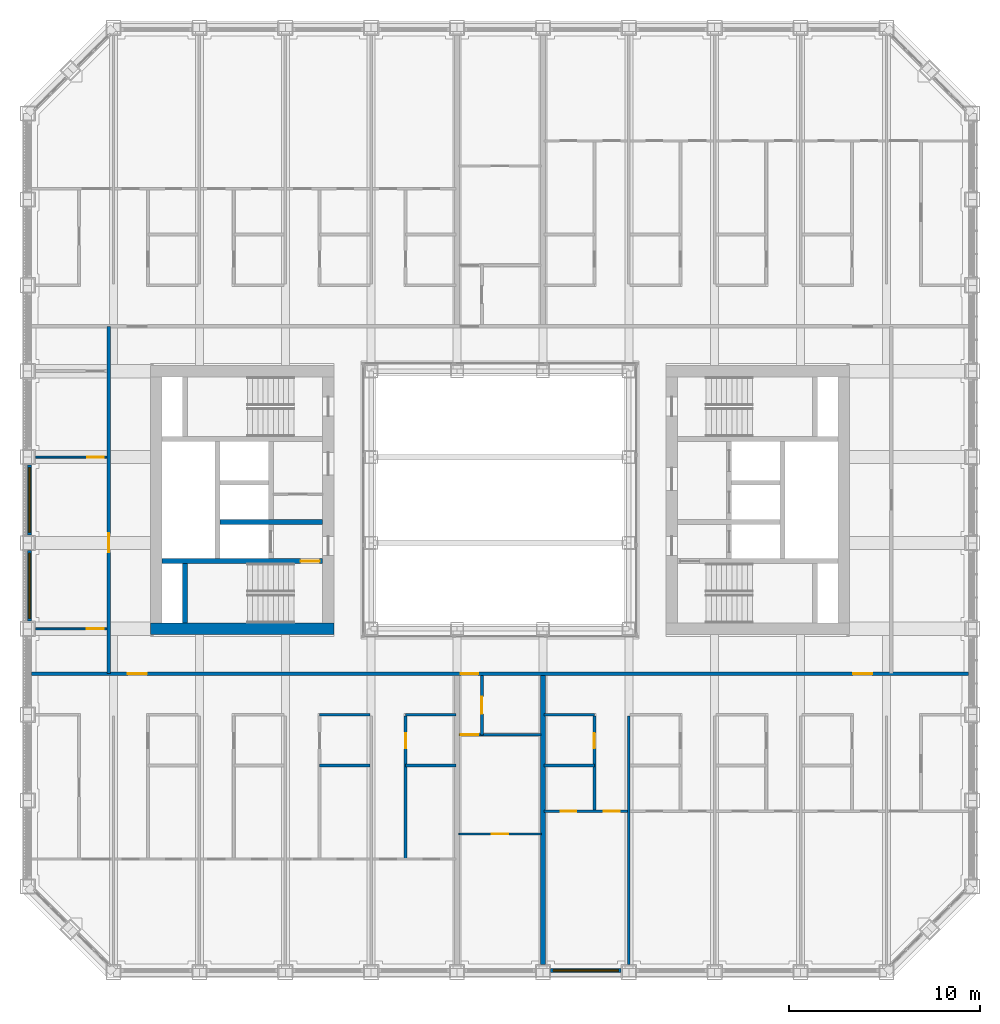
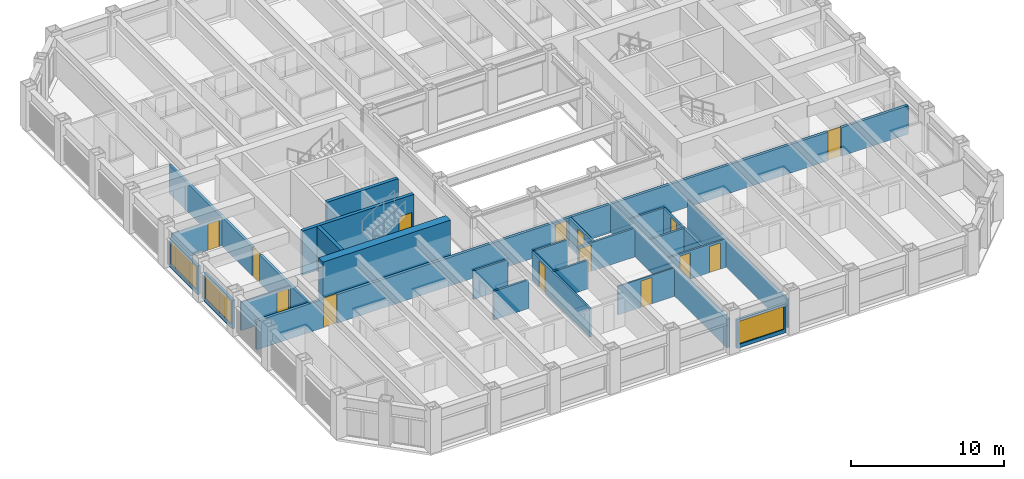
# One storey, part 10 of 21: 25 walls, 14 doors, 3 windows, 17 openings.
"""IFC4 building model written with IfcOpenShell, lengths in metres."""

from ifc_helpers import new_model, si_unit, direction, frame, frame_2d, origin, place, context, subcontext, project, spatial, rectangle, extrude, material, layer, layer_set, type_object, element, fill, save


model = new_model("IFC4")

# Units and contexts
model_context = context("Model", 3, precision=1e-05, world=origin(), true_north=direction((0.0, 1.0)))
body_context = subcontext(model_context, "Body", "Model", "MODEL_VIEW")
ifc_project = project(units=[si_unit("LENGTHUNIT", "METRE"), si_unit("AREAUNIT", "SQUARE_METRE"), si_unit("VOLUMEUNIT", "CUBIC_METRE"), si_unit("PLANEANGLEUNIT", "RADIAN"), si_unit("MASSUNIT", "GRAM", prefix="KILO")], contexts=[model_context])

# Site, building, storey
site_placement = place(None, origin())
site = spatial("IfcSite", under=ifc_project, at=site_placement, CompositionType="ELEMENT")
building_placement = place(site_placement, origin())
building = spatial("IfcBuilding", under=site, at=building_placement, Name="Msasa Ring Tower", CompositionType="ELEMENT")
storey_placement = place(building_placement, frame((0.0, 0.0, 103.5)))
storey = spatial("IfcBuildingStorey", under=building, at=storey_placement, Name="L27", CompositionType="ELEMENT", Elevation=103.5)

# Wall
ifc_material_1 = material(Name="Concrete C60/75", Category="concrete")
ifc_layer_1 = layer(ifc_material_1, 0.60009765625)
ifc_layer_set_1 = layer_set([ifc_layer_1], Name="CW1 CORE WALL 600")
wall_type_1 = type_object("IfcWallType", Name="CW1 CORE WALL 600", PredefinedType="SHEAR", material=ifc_layer_set_1)
wall_1_placement = place(storey_placement, frame((-8.699951171875, -6.75, 0.0), z_axis=(0.0, 0.0, 1.0), x_axis=(-1.0, 0.0, 0.0)))
element("IfcWall", 1, at=wall_1_placement, inside=storey, type_object=wall_type_1, Name="W core wall S L27", PredefinedType="SHEAR", context=body_context, shape_type="SweptSolid", body=[
    extrude(rectangle(XDim=9.60009765625, YDim=0.60009765625, at=frame_2d((4.800048828125, 0.0))), origin(), (0.0, 0.0, 1.0), 3.5),
])

# Wall, opening, door
ifc_material_2 = material(Name="Concrete C60/75", Category="concrete")
ifc_layer_2 = layer(ifc_material_2, 0.25)
ifc_layer_set_2 = layer_set([ifc_layer_2], Name="CW4 CORE INNER WALL 250")
wall_type_2 = type_object("IfcWallType", Name="CW4 CORE INNER WALL 250", PredefinedType="SHEAR", material=ifc_layer_set_2)
wall_2_placement = place(storey_placement, frame((-9.300048828125, -3.199951171875, 0.0), z_axis=(0.0, 0.0, 1.0), x_axis=(-1.0, 0.0, 0.0)))
wall_2 = element("IfcWall", 2, at=wall_2_placement, inside=storey, type_object=wall_type_2, Name="W core wall STAIRA L27", PredefinedType="SHEAR", context=body_context, shape_type="SweptSolid", body=[
    extrude(rectangle(XDim=8.39990234375, YDim=0.25, at=frame_2d((4.199951171875, 0.0))), origin(), (0.0, 0.0, 1.0), 3.5),
])
opening_1_placement = place(wall_2_placement, frame((0.14990234375, 0.0, 0.0)))
opening_1 = element("IfcOpeningElement", 3, at=opening_1_placement, cuts=wall_2, Name="Opening RH-046", PredefinedType="OPENING", context=body_context, shape_type="SweptSolid", body=[
    extrude(rectangle(XDim=1.0, YDim=2.10009765625, at=frame_2d((0.5, 1.050048828125))), frame((0.0, 0.135009765625, 0.0), z_axis=(0.0, -1.0, 0.0), x_axis=(1.0, 0.0, 0.0)), (0.0, 0.0, 1.0), 0.27001953125),
])
ifc_material_3 = material(Name="Timber door leaf in a steel frame", Category="steel")
door_type_1 = type_object("IfcDoorType", Name="D6 STAIR DOOR 1000x2100", OperationType="SINGLE_SWING_LEFT", PredefinedType="DOOR", material=ifc_material_3)
door_1_placement = place(opening_1_placement, origin())
door_1 = element("IfcDoor", 4, at=door_1_placement, inside=storey, type_object=door_type_1, Name="Door L27-WSTA", OperationType="SINGLE_SWING_LEFT", OverallHeight=2.10009765625, OverallWidth=1.0, PredefinedType="DOOR", context=body_context, shape_type="SweptSolid", body=[
    extrude(rectangle(XDim=1.0, YDim=2.10009765625, at=frame_2d((0.5, 1.050048828125))), frame((0.0, 0.02490234375, 0.0), z_axis=(0.0, -1.0, 0.0), x_axis=(1.0, 0.0, 0.0)), (0.0, 0.0, 1.0), 0.050048828125),
])
fill(opening_1, door_1)

# Walls
wall_3_placement = place(storey_placement, frame((-16.5, -6.449951171875, 0.0), z_axis=(0.0, 0.0, 1.0), x_axis=(0.0, 1.0, 0.0)))
element("IfcWall", 5, at=wall_3_placement, inside=storey, type_object=wall_type_2, Name="W core wall RISERA L27", PredefinedType="SHEAR", context=body_context, shape_type="SweptSolid", body=[
    extrude(rectangle(XDim=3.125, YDim=0.25, at=frame_2d((1.5625, 0.0))), origin(), (0.0, 0.0, 1.0), 3.5),
])
wall_4_placement = place(storey_placement, frame((-9.300048828125, -1.14990234375, 0.0), z_axis=(0.0, 0.0, 1.0), x_axis=(-1.0, 0.0, 0.0)))
element("IfcWall", 6, at=wall_4_placement, inside=storey, type_object=wall_type_2, Name="W core wall FFL L27", PredefinedType="SHEAR", context=body_context, shape_type="SweptSolid", body=[
    extrude(rectangle(XDim=5.375, YDim=0.25, at=frame_2d((2.6875, 0.0))), origin(), (0.0, 0.0, 1.0), 3.5),
])

# Wall, opening, window
ifc_material_4 = material(Name="Terracotta rainscreen on blockwork", Category="masonry")
ifc_layer_3 = layer(ifc_material_4, 0.199951171875)
ifc_layer_set_3 = layer_set([ifc_layer_3], Name="FW1 TERRACOTTA-LINED INFILL BAY WALL 200")
wall_type_3 = type_object("IfcWallType", Name="FW1 TERRACOTTA-LINED INFILL BAY WALL 200", PredefinedType="SOLIDWALL", material=ifc_layer_set_3)
wall_5_placement = place(storey_placement, frame((2.655029296875, -24.64990234375, 0.0), z_axis=(0.0, 0.0, 1.0), x_axis=(1.0, 0.0, 0.0)))
wall_5 = element("IfcWall", 7, at=wall_5_placement, inside=storey, type_object=wall_type_3, Name="Infill bay wall S L27 05", PredefinedType="SOLIDWALL", context=body_context, shape_type="SweptSolid", body=[
    extrude(rectangle(XDim=3.68994140625, YDim=0.199951171875, at=frame_2d((1.844970703125, 0.0))), origin(), (0.0, 0.0, 1.0), 2.279052734375),
])
opening_2_placement = place(wall_5_placement, frame((0.14501953125, 0.0, 0.300048828125)))
opening_2 = element("IfcOpeningElement", 8, at=opening_2_placement, cuts=wall_5, Name="Opening WN6", PredefinedType="OPENING", context=body_context, shape_type="SweptSolid", body=[
    extrude(rectangle(XDim=3.39990234375, YDim=1.8291015625, at=frame_2d((1.699951171875, 0.91455078125))), frame((0.0, 0.10986328125, 0.0), z_axis=(0.0, -1.0, 0.0), x_axis=(1.0, 0.0, 0.0)), (0.0, 0.0, 1.0), 0.219970703125),
])
ifc_material_5 = material(Name="Aluminium frame with clear glass", Category="aluminium")
window_type = type_object("IfcWindowType", Name="WN6 RESIDENCE WINDOW 3400x1829", PartitioningType="SINGLE_PANEL", PredefinedType="WINDOW", material=ifc_material_5)
window_1_placement = place(opening_2_placement, origin())
window_1 = element("IfcWindow", 9, at=window_1_placement, inside=storey, type_object=window_type, Name="Window S L27 05", OverallHeight=1.8291015625, OverallWidth=3.39990234375, PartitioningType="SINGLE_PANEL", PredefinedType="WINDOW", context=body_context, shape_type="SweptSolid", body=[
    extrude(rectangle(XDim=3.39990234375, YDim=1.8291015625, at=frame_2d((1.699951171875, 0.91455078125))), frame((0.0, 0.030029296875, 0.0), z_axis=(0.0, -1.0, 0.0), x_axis=(1.0, 0.0, 0.0)), (0.0, 0.0, 1.0), 0.06005859375),
])
fill(opening_2, window_1)

wall_6_placement = place(storey_placement, frame((-24.64990234375, -6.344970703125, 0.0), z_axis=(0.0, 0.0, 1.0), x_axis=(0.0, 1.0, 0.0)))
wall_6 = element("IfcWall", 10, at=wall_6_placement, inside=storey, type_object=wall_type_3, Name="Infill bay wall W L27 36", PredefinedType="SOLIDWALL", context=body_context, shape_type="SweptSolid", body=[
    extrude(rectangle(XDim=3.68994140625, YDim=0.199951171875, at=frame_2d((1.844970703125, 0.0))), origin(), (0.0, 0.0, 1.0), 2.279052734375),
])
opening_3_placement = place(wall_6_placement, frame((0.14501953125, 0.0, 0.300048828125)))
opening_3 = element("IfcOpeningElement", 11, at=opening_3_placement, cuts=wall_6, Name="Opening WN6", PredefinedType="OPENING", context=body_context, shape_type="SweptSolid", body=[
    extrude(rectangle(XDim=3.39990234375, YDim=1.8291015625, at=frame_2d((1.699951171875, 0.91455078125))), frame((0.0, 0.10986328125, 0.0), z_axis=(0.0, -1.0, 0.0), x_axis=(1.0, 0.0, 0.0)), (0.0, 0.0, 1.0), 0.219970703125),
])
window_2_placement = place(opening_3_placement, origin())
window_2 = element("IfcWindow", 12, at=window_2_placement, inside=storey, type_object=window_type, Name="Window W L27 36", OverallHeight=1.8291015625, OverallWidth=3.39990234375, PartitioningType="SINGLE_PANEL", PredefinedType="WINDOW", context=body_context, shape_type="SweptSolid", body=[
    extrude(rectangle(XDim=3.39990234375, YDim=1.8291015625, at=frame_2d((1.699951171875, 0.91455078125))), frame((0.0, 0.030029296875, 0.0), z_axis=(0.0, -1.0, 0.0), x_axis=(1.0, 0.0, 0.0)), (0.0, 0.0, 1.0), 0.06005859375),
])
fill(opening_3, window_2)

wall_7_placement = place(storey_placement, frame((-24.64990234375, -1.844970703125, 0.0), z_axis=(0.0, 0.0, 1.0), x_axis=(0.0, 1.0, 0.0)))
wall_7 = element("IfcWall", 13, at=wall_7_placement, inside=storey, type_object=wall_type_3, Name="Infill bay wall W L27 37", PredefinedType="SOLIDWALL", context=body_context, shape_type="SweptSolid", body=[
    extrude(rectangle(XDim=3.68994140625, YDim=0.199951171875, at=frame_2d((1.844970703125, 0.0))), origin(), (0.0, 0.0, 1.0), 2.279052734375),
])
opening_4_placement = place(wall_7_placement, frame((0.14501953125, 0.0, 0.300048828125)))
opening_4 = element("IfcOpeningElement", 14, at=opening_4_placement, cuts=wall_7, Name="Opening WN6", PredefinedType="OPENING", context=body_context, shape_type="SweptSolid", body=[
    extrude(rectangle(XDim=3.39990234375, YDim=1.8291015625, at=frame_2d((1.699951171875, 0.91455078125))), frame((0.0, 0.10986328125, 0.0), z_axis=(0.0, -1.0, 0.0), x_axis=(1.0, 0.0, 0.0)), (0.0, 0.0, 1.0), 0.219970703125),
])
window_3_placement = place(opening_4_placement, origin())
window_3 = element("IfcWindow", 15, at=window_3_placement, inside=storey, type_object=window_type, Name="Window W L27 37", OverallHeight=1.8291015625, OverallWidth=3.39990234375, PartitioningType="SINGLE_PANEL", PredefinedType="WINDOW", context=body_context, shape_type="SweptSolid", body=[
    extrude(rectangle(XDim=3.39990234375, YDim=1.8291015625, at=frame_2d((1.699951171875, 0.91455078125))), frame((0.0, 0.030029296875, 0.0), z_axis=(0.0, -1.0, 0.0), x_axis=(1.0, 0.0, 0.0)), (0.0, 0.0, 1.0), 0.06005859375),
])
fill(opening_4, window_3)

# Wall, openings, doors
ifc_material_6 = material(Name="Concrete blockwork", Category="masonry")
ifc_layer_4 = layer(ifc_material_6, 0.199951171875)
ifc_layer_set_4 = layer_set([ifc_layer_4], Name="PT1 CORRIDOR WALL 200")
wall_type_4 = type_object("IfcWallType", Name="PT1 CORRIDOR WALL 200", PredefinedType="PARTITIONING", material=ifc_layer_set_4)
wall_8_placement = place(storey_placement, frame((-24.550048828125, -9.10009765625, 0.0), z_axis=(0.0, 0.0, 1.0), x_axis=(1.0, 0.0, 0.0)))
wall_8 = element("IfcWall", 16, at=wall_8_placement, inside=storey, type_object=wall_type_4, Name="Corridor wall L27-CORRS0", PredefinedType="PARTITIONING", context=body_context, shape_type="SweptSolid", body=[
    extrude(rectangle(XDim=49.10009765625, YDim=0.199951171875, at=frame_2d((24.550048828125, 0.0))), origin(), (0.0, 0.0, 1.0), 2.279052734375),
])
opening_5_placement = place(wall_8_placement, frame((5.050048828125, 0.0, 0.0)))
opening_5 = element("IfcOpeningElement", 17, at=opening_5_placement, cuts=wall_8, Name="Opening RH-049", PredefinedType="OPENING", context=body_context, shape_type="SweptSolid", body=[
    extrude(rectangle(XDim=1.0, YDim=2.300048828125, at=frame_2d((0.5, 1.14990234375))), frame((0.0, 0.10986328125, 0.0), z_axis=(0.0, -1.0, 0.0), x_axis=(1.0, 0.0, 0.0)), (0.0, 0.0, 1.0), 0.219970703125),
])
opening_6_placement = place(wall_8_placement, frame((22.5, 0.0, 0.0)))
opening_6 = element("IfcOpeningElement", 18, at=opening_6_placement, cuts=wall_8, Name="Opening RH-050", PredefinedType="OPENING", context=body_context, shape_type="SweptSolid", body=[
    extrude(rectangle(XDim=0.89990234375, YDim=2.10009765625, at=frame_2d((0.449951171875, 1.050048828125))), frame((0.0, 0.10986328125, 0.0), z_axis=(0.0, -1.0, 0.0), x_axis=(1.0, 0.0, 0.0)), (0.0, 0.0, 1.0), 0.219970703125),
])
opening_7_placement = place(wall_8_placement, frame((43.050048828125, 0.0, 0.0)))
opening_7 = element("IfcOpeningElement", 19, at=opening_7_placement, cuts=wall_8, Name="Opening RH-051", PredefinedType="OPENING", context=body_context, shape_type="SweptSolid", body=[
    extrude(rectangle(XDim=1.0, YDim=2.300048828125, at=frame_2d((0.5, 1.14990234375))), frame((0.0, 0.10986328125, 0.0), z_axis=(0.0, -1.0, 0.0), x_axis=(1.0, 0.0, 0.0)), (0.0, 0.0, 1.0), 0.219970703125),
])
ifc_material_7 = material(Name="Timber door leaf in a steel frame", Category="steel")
door_type_2 = type_object("IfcDoorType", Name="D16 UPPER RESIDENCE ENTRANCE DOOR 1000x2300", OperationType="SINGLE_SWING_LEFT", PredefinedType="DOOR", material=ifc_material_7)
door_2_placement = place(opening_5_placement, origin())
door_2 = element("IfcDoor", 20, at=door_2_placement, inside=storey, type_object=door_type_2, Name="Door L27-US00", OperationType="SINGLE_SWING_LEFT", OverallHeight=2.300048828125, OverallWidth=1.0, PredefinedType="DOOR", context=body_context, shape_type="SweptSolid", body=[
    extrude(rectangle(XDim=1.0, YDim=2.300048828125, at=frame_2d((0.5, 1.14990234375))), frame((0.0, 0.02490234375, 0.0), z_axis=(0.0, -1.0, 0.0), x_axis=(1.0, 0.0, 0.0)), (0.0, 0.0, 1.0), 0.050048828125),
])
fill(opening_5, door_2)
door_3_placement = place(opening_7_placement, origin())
door_3 = element("IfcDoor", 21, at=door_3_placement, inside=storey, type_object=door_type_2, Name="Door L27-US02", OperationType="SINGLE_SWING_RIGHT", OverallHeight=2.300048828125, OverallWidth=1.0, PredefinedType="DOOR", context=body_context, shape_type="SweptSolid", body=[
    extrude(rectangle(XDim=1.0, YDim=2.300048828125, at=frame_2d((0.5, 1.14990234375))), frame((0.0, 0.02490234375, 0.0), z_axis=(0.0, -1.0, 0.0), x_axis=(1.0, 0.0, 0.0)), (0.0, 0.0, 1.0), 0.050048828125),
])
fill(opening_7, door_3)
ifc_material_8 = material(Name="Timber door leaf in a steel frame", Category="steel")
door_type_3 = type_object("IfcDoorType", Name="D2 ENTRANCE DOOR 900x2100", OperationType="SINGLE_SWING_LEFT", PredefinedType="DOOR", material=ifc_material_8)
door_4_placement = place(opening_6_placement, origin())
door_4 = element("IfcDoor", 22, at=door_4_placement, inside=storey, type_object=door_type_3, Name="Door L27-US01", OperationType="SINGLE_SWING_LEFT", OverallHeight=2.10009765625, OverallWidth=0.89990234375, PredefinedType="DOOR", context=body_context, shape_type="SweptSolid", body=[
    extrude(rectangle(XDim=0.89990234375, YDim=2.10009765625, at=frame_2d((0.449951171875, 1.050048828125))), frame((0.0, 0.02490234375, 0.0), z_axis=(0.0, -1.0, 0.0), x_axis=(1.0, 0.0, 0.0)), (0.0, 0.0, 1.0), 0.050048828125),
])
fill(opening_6, door_4)

# Wall, opening, door
wall_9_placement = place(storey_placement, frame((-20.5, -9.10009765625, 0.0), z_axis=(0.0, 0.0, 1.0), x_axis=(0.0, 1.0, 0.0)))
wall_9 = element("IfcWall", 23, at=wall_9_placement, inside=storey, type_object=wall_type_4, Name="Corridor wall L27-STRW", PredefinedType="PARTITIONING", context=body_context, shape_type="SweptSolid", body=[
    extrude(rectangle(XDim=18.2001953125, YDim=0.199951171875, at=frame_2d((9.10009765625, 0.0))), origin(), (0.0, 0.0, 1.0), 2.279052734375),
])
opening_8_placement = place(wall_9_placement, frame((6.35009765625, 0.0, 0.0)))
opening_8 = element("IfcOpeningElement", 24, at=opening_8_placement, cuts=wall_9, Name="Opening RH-043", PredefinedType="OPENING", context=body_context, shape_type="SweptSolid", body=[
    extrude(rectangle(XDim=1.0, YDim=2.300048828125, at=frame_2d((0.5, 1.14990234375))), frame((0.0, 0.10986328125, 0.0), z_axis=(0.0, -1.0, 0.0), x_axis=(1.0, 0.0, 0.0)), (0.0, 0.0, 1.0), 0.219970703125),
])
door_5_placement = place(opening_8_placement, origin())
door_5 = element("IfcDoor", 25, at=door_5_placement, inside=storey, type_object=door_type_2, Name="Door L27-STW", OperationType="SINGLE_SWING_LEFT", OverallHeight=2.300048828125, OverallWidth=1.0, PredefinedType="DOOR", context=body_context, shape_type="SweptSolid", body=[
    extrude(rectangle(XDim=1.0, YDim=2.300048828125, at=frame_2d((0.5, 1.14990234375))), frame((0.0, 0.02490234375, 0.0), z_axis=(0.0, -1.0, 0.0), x_axis=(1.0, 0.0, 0.0)), (0.0, 0.0, 1.0), 0.050048828125),
])
fill(opening_8, door_5)

ifc_material_9 = material(Name="Gypsum board on steel studs", Category="steel")
ifc_layer_5 = layer(ifc_material_9, 0.10009765625)
ifc_layer_set_5 = layer_set([ifc_layer_5], Name="PT2 STUD PARTITION 100")
wall_type_5 = type_object("IfcWallType", Name="PT2 STUD PARTITION 100", PredefinedType="PARTITIONING", material=ifc_layer_set_5)
wall_10_placement = place(storey_placement, frame((-2.14990234375, -17.5, 0.0), z_axis=(0.0, 0.0, 1.0), x_axis=(1.0, 0.0, 0.0)))
wall_10 = element("IfcWall", 26, at=wall_10_placement, inside=storey, type_object=wall_type_5, Name="Partition L27-US01SY", PredefinedType="PARTITIONING", context=body_context, shape_type="SweptSolid", body=[
    extrude(rectangle(XDim=4.2998046875, YDim=0.10009765625, at=frame_2d((2.14990234375, 0.0))), origin(), (0.0, 0.0, 1.0), 2.279052734375),
])
opening_9_placement = place(wall_10_placement, frame((1.72509765625, 0.0, 0.0)))
opening_9 = element("IfcOpeningElement", 27, at=opening_9_placement, cuts=wall_10, Name="Opening RH-073", PredefinedType="OPENING", context=body_context, shape_type="SweptSolid", body=[
    extrude(rectangle(XDim=0.85009765625, YDim=2.10009765625, at=frame_2d((0.425048828125, 1.050048828125))), frame((0.0, 0.06005859375, 0.0), z_axis=(0.0, -1.0, 0.0), x_axis=(1.0, 0.0, 0.0)), (0.0, 0.0, 1.0), 0.1201171875),
])
ifc_material_10 = material(Name="Timber door leaf in a steel frame", Category="steel")
door_type_4 = type_object("IfcDoorType", Name="D14 BEDROOM DOOR 850x2100", OperationType="SINGLE_SWING_LEFT", PredefinedType="DOOR", material=ifc_material_10)
door_6_placement = place(opening_9_placement, origin())
door_6 = element("IfcDoor", 28, at=door_6_placement, inside=storey, type_object=door_type_4, Name="Door L27-US01R", OperationType="SINGLE_SWING_LEFT", OverallHeight=2.10009765625, OverallWidth=0.85009765625, PredefinedType="DOOR", context=body_context, shape_type="SweptSolid", body=[
    extrude(rectangle(XDim=0.85009765625, YDim=2.10009765625, at=frame_2d((0.425048828125, 1.050048828125))), frame((0.0, 0.02490234375, 0.0), z_axis=(0.0, -1.0, 0.0), x_axis=(1.0, 0.0, 0.0)), (0.0, 0.0, 1.0), 0.050048828125),
])
fill(opening_9, door_6)

wall_11_placement = place(storey_placement, frame((-24.35009765625, -6.75, 0.0), z_axis=(0.0, 0.0, 1.0), x_axis=(1.0, 0.0, 0.0)))
wall_11 = element("IfcWall", 29, at=wall_11_placement, inside=storey, type_object=wall_type_5, Name="Partition L27-STWKY", PredefinedType="PARTITIONING", context=body_context, shape_type="SweptSolid", body=[
    extrude(rectangle(XDim=3.75, YDim=0.10009765625, at=frame_2d((1.875, 0.0))), origin(), (0.0, 0.0, 1.0), 2.279052734375),
])
opening_10_placement = place(wall_11_placement, frame((2.699951171875, 0.0, 0.0)))
opening_10 = element("IfcOpeningElement", 30, at=opening_10_placement, cuts=wall_11, Name="Opening RH-048", PredefinedType="OPENING", context=body_context, shape_type="SweptSolid", body=[
    extrude(rectangle(XDim=0.89990234375, YDim=2.10009765625, at=frame_2d((0.449951171875, 1.050048828125))), frame((0.0, 0.06005859375, 0.0), z_axis=(0.0, -1.0, 0.0), x_axis=(1.0, 0.0, 0.0)), (0.0, 0.0, 1.0), 0.1201171875),
])
ifc_material_11 = material(Name="Timber door leaf in a steel frame", Category="steel")
door_type_5 = type_object("IfcDoorType", Name="D22 INTERNAL HALL DOOR 900x2100", OperationType="SINGLE_SWING_LEFT", PredefinedType="DOOR", material=ifc_material_11)
door_7_placement = place(opening_10_placement, origin())
door_7 = element("IfcDoor", 31, at=door_7_placement, inside=storey, type_object=door_type_5, Name="Door L27-STWK", OperationType="SINGLE_SWING_RIGHT", OverallHeight=2.10009765625, OverallWidth=0.89990234375, PredefinedType="DOOR", context=body_context, shape_type="SweptSolid", body=[
    extrude(rectangle(XDim=0.89990234375, YDim=2.10009765625, at=frame_2d((0.449951171875, 1.050048828125))), frame((0.0, 0.02490234375, 0.0), z_axis=(0.0, -1.0, 0.0), x_axis=(1.0, 0.0, 0.0)), (0.0, 0.0, 1.0), 0.050048828125),
])
fill(opening_10, door_7)

wall_12_placement = place(storey_placement, frame((-24.35009765625, 2.25, 0.0), z_axis=(0.0, 0.0, 1.0), x_axis=(1.0, 0.0, 0.0)))
wall_12 = element("IfcWall", 32, at=wall_12_placement, inside=storey, type_object=wall_type_5, Name="Partition L27-STWRY", PredefinedType="PARTITIONING", context=body_context, shape_type="SweptSolid", body=[
    extrude(rectangle(XDim=3.75, YDim=0.10009765625, at=frame_2d((1.875, 0.0))), origin(), (0.0, 0.0, 1.0), 2.279052734375),
])
opening_11_placement = place(wall_12_placement, frame((2.72509765625, 0.0, 0.0)))
opening_11 = element("IfcOpeningElement", 33, at=opening_11_placement, cuts=wall_12, Name="Opening RH-038", PredefinedType="OPENING", context=body_context, shape_type="SweptSolid", body=[
    extrude(rectangle(XDim=0.85009765625, YDim=2.10009765625, at=frame_2d((0.425048828125, 1.050048828125))), frame((0.0, 0.06005859375, 0.0), z_axis=(0.0, -1.0, 0.0), x_axis=(1.0, 0.0, 0.0)), (0.0, 0.0, 1.0), 0.1201171875),
])
door_8_placement = place(opening_11_placement, origin())
door_8 = element("IfcDoor", 34, at=door_8_placement, inside=storey, type_object=door_type_4, Name="Door L27-STWR", OperationType="SINGLE_SWING_RIGHT", OverallHeight=2.10009765625, OverallWidth=0.85009765625, PredefinedType="DOOR", context=body_context, shape_type="SweptSolid", body=[
    extrude(rectangle(XDim=0.85009765625, YDim=2.10009765625, at=frame_2d((0.425048828125, 1.050048828125))), frame((0.0, 0.02490234375, 0.0), z_axis=(0.0, -1.0, 0.0), x_axis=(1.0, 0.0, 0.0)), (0.0, 0.0, 1.0), 0.050048828125),
])
fill(opening_11, door_8)

# Walls
ifc_material_12 = material(Name="Dense concrete blockwork, plastered both faces", Category="masonry")
ifc_layer_6 = layer(ifc_material_12, 0.25)
ifc_layer_set_6 = layer_set([ifc_layer_6], Name="PT3 APARTMENT SEPARATING WALL 250")
wall_type_6 = type_object("IfcWallType", Name="PT3 APARTMENT SEPARATING WALL 250", PredefinedType="PARTITIONING", material=ifc_layer_set_6)
wall_13_placement = place(storey_placement, frame((2.25, -24.35009765625, 0.0), z_axis=(0.0, 0.0, 1.0), x_axis=(0.0, 1.0, 0.0)))
element("IfcWall", 35, at=wall_13_placement, inside=storey, type_object=wall_type_6, Name="Party wall L27-PWS+2.25", PredefinedType="PARTITIONING", context=body_context, shape_type="SweptSolid", body=[
    extrude(rectangle(XDim=15.150146484375, YDim=0.25, at=frame_2d((7.5751953125, 0.0))), origin(), (0.0, 0.0, 1.0), 2.279052734375),
])
ifc_material_13 = material(Name="Moisture-resistant board on steel studs with a concealed cistern and pipe void, tiled", Category="steel")
ifc_layer_7 = layer(ifc_material_13, 0.14990234375)
ifc_layer_set_7 = layer_set([ifc_layer_7], Name="PT4 BATHROOM WET WALL 150")
wall_type_7 = type_object("IfcWallType", Name="PT4 BATHROOM WET WALL 150", PredefinedType="PARTITIONING", material=ifc_layer_set_7)
wall_14_placement = place(storey_placement, frame((-9.449951171875, -13.91259765625, 0.0), z_axis=(0.0, 0.0, 1.0), x_axis=(1.0, 0.0, 0.0)))
element("IfcWall", 36, at=wall_14_placement, inside=storey, type_object=wall_type_7, Name="Partition L27-US00SB3", PredefinedType="PARTITIONING", context=body_context, shape_type="SweptSolid", body=[
    extrude(rectangle(XDim=2.637451171875, YDim=0.14990234375, at=frame_2d((1.31884765625, 0.0))), origin(), (0.0, 0.0, 1.0), 2.279052734375),
])

# Wall, opening, door
wall_15_placement = place(storey_placement, frame((-4.949951171875, -18.8125, 0.0), z_axis=(0.0, 0.0, 1.0), x_axis=(0.0, 1.0, 0.0)))
wall_15 = element("IfcWall", 37, at=wall_15_placement, inside=storey, type_object=wall_type_7, Name="Partition L27-US00SX4", PredefinedType="PARTITIONING", context=body_context, shape_type="SweptSolid", body=[
    extrude(rectangle(XDim=7.5, YDim=0.14990234375, at=frame_2d((3.75, 0.0))), origin(), (0.0, 0.0, 1.0), 2.279052734375),
])
opening_12_placement = place(wall_15_placement, frame((5.800048828125, 0.0, 0.0)))
opening_12 = element("IfcOpeningElement", 38, at=opening_12_placement, cuts=wall_15, Name="Opening RH-057", PredefinedType="OPENING", context=body_context, shape_type="SweptSolid", body=[
    extrude(rectangle(XDim=0.800048828125, YDim=2.10009765625, at=frame_2d((0.39990234375, 1.050048828125))), frame((0.0, 0.0849609375, 0.0), z_axis=(0.0, -1.0, 0.0), x_axis=(1.0, 0.0, 0.0)), (0.0, 0.0, 1.0), 0.169921875),
])
ifc_material_14 = material(Name="Timber door leaf in a steel frame", Category="steel")
door_type_6 = type_object("IfcDoorType", Name="D21 POCKET SLIDING BATHROOM DOOR 800x2100", OperationType="SINGLE_SWING_LEFT", PredefinedType="DOOR", material=ifc_material_14)
door_9_placement = place(opening_12_placement, origin())
door_9 = element("IfcDoor", 39, at=door_9_placement, inside=storey, type_object=door_type_6, Name="Door L27-US00B4", OperationType="SINGLE_SWING_RIGHT", OverallHeight=2.10009765625, OverallWidth=0.800048828125, PredefinedType="DOOR", context=body_context, shape_type="SweptSolid", body=[
    extrude(rectangle(XDim=0.800048828125, YDim=2.10009765625, at=frame_2d((0.39990234375, 1.050048828125))), frame((0.0, 0.02490234375, 0.0), z_axis=(0.0, -1.0, 0.0), x_axis=(1.0, 0.0, 0.0)), (0.0, 0.0, 1.0), 0.050048828125),
])
fill(opening_12, door_9)

# Wall
wall_16_placement = place(storey_placement, frame((-4.949951171875, -13.91259765625, 0.0), z_axis=(0.0, 0.0, 1.0), x_axis=(1.0, 0.0, 0.0)))
element("IfcWall", 40, at=wall_16_placement, inside=storey, type_object=wall_type_7, Name="Partition L27-US00SB4", PredefinedType="PARTITIONING", context=body_context, shape_type="SweptSolid", body=[
    extrude(rectangle(XDim=2.632568359375, YDim=0.14990234375, at=frame_2d((1.31640625, 0.0))), origin(), (0.0, 0.0, 1.0), 2.279052734375),
])

# Wall, opening, door
wall_17_placement = place(storey_placement, frame((-0.949951171875, -12.300048828125, 0.0), z_axis=(0.0, 0.0, 1.0), x_axis=(0.0, 1.0, 0.0)))
wall_17 = element("IfcWall", 41, at=wall_17_placement, inside=storey, type_object=wall_type_7, Name="Partition L27-US01BX", PredefinedType="PARTITIONING", context=body_context, shape_type="SweptSolid", body=[
    extrude(rectangle(XDim=3.10009765625, YDim=0.14990234375, at=frame_2d((1.550048828125, 0.0))), origin(), (0.0, 0.0, 1.0), 2.279052734375),
])
opening_13_placement = place(wall_17_placement, frame((1.10009765625, 0.0, 0.0)))
opening_13 = element("IfcOpeningElement", 42, at=opening_13_placement, cuts=wall_17, Name="Opening RH-052", PredefinedType="OPENING", context=body_context, shape_type="SweptSolid", body=[
    extrude(rectangle(XDim=0.89990234375, YDim=2.10009765625, at=frame_2d((0.449951171875, 1.050048828125))), frame((0.0, 0.0849609375, 0.0), z_axis=(0.0, -1.0, 0.0), x_axis=(1.0, 0.0, 0.0)), (0.0, 0.0, 1.0), 0.169921875),
])
ifc_material_15 = material(Name="Timber door leaf in a steel frame", Category="steel")
door_type_7 = type_object("IfcDoorType", Name="D3 BATHROOM DOOR 900x2100", OperationType="SINGLE_SWING_LEFT", PredefinedType="DOOR", material=ifc_material_15)
door_10_placement = place(opening_13_placement, origin())
door_10 = element("IfcDoor", 43, at=door_10_placement, inside=storey, type_object=door_type_7, Name="Door L27-US01B", OperationType="SINGLE_SWING_LEFT", OverallHeight=2.10009765625, OverallWidth=0.89990234375, PredefinedType="DOOR", context=body_context, shape_type="SweptSolid", body=[
    extrude(rectangle(XDim=0.89990234375, YDim=2.10009765625, at=frame_2d((0.449951171875, 1.050048828125))), frame((0.0, 0.02490234375, 0.0), z_axis=(0.0, -1.0, 0.0), x_axis=(1.0, 0.0, 0.0)), (0.0, 0.0, 1.0), 0.050048828125),
])
fill(opening_13, door_10)

wall_18_placement = place(storey_placement, frame((-2.14990234375, -12.300048828125, 0.0), z_axis=(0.0, 0.0, 1.0), x_axis=(1.0, 0.0, 0.0)))
wall_18 = element("IfcWall", 44, at=wall_18_placement, inside=storey, type_object=wall_type_7, Name="Partition L27-US01BY", PredefinedType="PARTITIONING", context=body_context, shape_type="SweptSolid", body=[
    extrude(rectangle(XDim=4.2998046875, YDim=0.14990234375, at=frame_2d((2.14990234375, 0.0))), origin(), (0.0, 0.0, 1.0), 2.279052734375),
])
opening_14_placement = place(wall_18_placement, frame((0.10009765625, 0.0, 0.0)))
opening_14 = element("IfcOpeningElement", 45, at=opening_14_placement, cuts=wall_18, Name="Opening RH-053", PredefinedType="OPENING", context=body_context, shape_type="SweptSolid", body=[
    extrude(rectangle(XDim=0.89990234375, YDim=2.10009765625, at=frame_2d((0.449951171875, 1.050048828125))), frame((0.0, 0.0849609375, 0.0), z_axis=(0.0, -1.0, 0.0), x_axis=(1.0, 0.0, 0.0)), (0.0, 0.0, 1.0), 0.169921875),
])
door_11_placement = place(opening_14_placement, origin())
door_11 = element("IfcDoor", 46, at=door_11_placement, inside=storey, type_object=door_type_5, Name="Door L27-US01S", OperationType="SINGLE_SWING_LEFT", OverallHeight=2.10009765625, OverallWidth=0.89990234375, PredefinedType="DOOR", context=body_context, shape_type="SweptSolid", body=[
    extrude(rectangle(XDim=0.89990234375, YDim=2.10009765625, at=frame_2d((0.449951171875, 1.050048828125))), frame((0.0, 0.02490234375, 0.0), z_axis=(0.0, -1.0, 0.0), x_axis=(1.0, 0.0, 0.0)), (0.0, 0.0, 1.0), 0.050048828125),
])
fill(opening_14, door_11)

wall_19_placement = place(storey_placement, frame((4.949951171875, -16.3125, 0.0), z_axis=(0.0, 0.0, 1.0), x_axis=(0.0, 1.0, 0.0)))
wall_19 = element("IfcWall", 47, at=wall_19_placement, inside=storey, type_object=wall_type_7, Name="Partition L27-US02SX4", PredefinedType="PARTITIONING", context=body_context, shape_type="SweptSolid", body=[
    extrude(rectangle(XDim=5.0, YDim=0.14990234375, at=frame_2d((2.5, 0.0))), origin(), (0.0, 0.0, 1.0), 2.279052734375),
])
opening_15_placement = place(wall_19_placement, frame((3.300048828125, 0.0, 0.0)))
opening_15 = element("IfcOpeningElement", 48, at=opening_15_placement, cuts=wall_19, Name="Opening RH-058", PredefinedType="OPENING", context=body_context, shape_type="SweptSolid", body=[
    extrude(rectangle(XDim=0.800048828125, YDim=2.10009765625, at=frame_2d((0.39990234375, 1.050048828125))), frame((0.0, 0.0849609375, 0.0), z_axis=(0.0, -1.0, 0.0), x_axis=(1.0, 0.0, 0.0)), (0.0, 0.0, 1.0), 0.169921875),
])
door_12_placement = place(opening_15_placement, origin())
door_12 = element("IfcDoor", 49, at=door_12_placement, inside=storey, type_object=door_type_6, Name="Door L27-US02B4", OperationType="SINGLE_SWING_RIGHT", OverallHeight=2.10009765625, OverallWidth=0.800048828125, PredefinedType="DOOR", context=body_context, shape_type="SweptSolid", body=[
    extrude(rectangle(XDim=0.800048828125, YDim=2.10009765625, at=frame_2d((0.39990234375, 1.050048828125))), frame((0.0, 0.02490234375, 0.0), z_axis=(0.0, -1.0, 0.0), x_axis=(1.0, 0.0, 0.0)), (0.0, 0.0, 1.0), 0.050048828125),
])
fill(opening_15, door_12)

# Walls
wall_20_placement = place(storey_placement, frame((2.3173828125, -13.91259765625, 0.0), z_axis=(0.0, 0.0, 1.0), x_axis=(1.0, 0.0, 0.0)))
element("IfcWall", 50, at=wall_20_placement, inside=storey, type_object=wall_type_7, Name="Partition L27-US02SB4", PredefinedType="PARTITIONING", context=body_context, shape_type="SweptSolid", body=[
    extrude(rectangle(XDim=2.632568359375, YDim=0.14990234375, at=frame_2d((1.31640625, 0.0))), origin(), (0.0, 0.0, 1.0), 2.279052734375),
])
ifc_material_16 = material(Name="Two layers of acoustic board each face on steel studs, mineral wool", Category="steel")
ifc_layer_8 = layer(ifc_material_16, 0.125)
ifc_layer_set_8 = layer_set([ifc_layer_8], Name="PT6 ACOUSTIC DOUBLE-BOARD PARTITION 125")
wall_type_8 = type_object("IfcWallType", Name="PT6 ACOUSTIC DOUBLE-BOARD PARTITION 125", PredefinedType="PARTITIONING", material=ifc_layer_set_8)
for number, where, z_axis, x_axis, name in (
    (51, (-9.449951171875, -11.25, 0.0), (0.0, 0.0, 1.0), (1.0, 0.0, 0.0), "Partition L27-US00HY3"),
    (52, (-4.949951171875, -11.25, 0.0), (0.0, 0.0, 1.0), (1.0, 0.0, 0.0), "Partition L27-US00HY4"),
):
    element("IfcWall", number, at=place(storey_placement, frame(where, z_axis=z_axis, x_axis=x_axis)), inside=storey, type_object=wall_type_8, Name=name, PredefinedType="PARTITIONING", context=body_context, shape_type="SweptSolid", body=[
        extrude(rectangle(XDim=2.632568359375, YDim=0.125, at=frame_2d((1.31640625, 0.0))), origin(), (0.0, 0.0, 1.0), 2.279052734375),
    ])
wall_21_placement = place(storey_placement, frame((6.75, -24.35009765625, 0.0), z_axis=(0.0, 0.0, 1.0), x_axis=(0.0, 1.0, 0.0)))
element("IfcWall", 53, at=wall_21_placement, inside=storey, type_object=wall_type_8, Name="Partition L27-US02P4", PredefinedType="PARTITIONING", context=body_context, shape_type="SweptSolid", body=[
    extrude(rectangle(XDim=13.03759765625, YDim=0.125, at=frame_2d((6.518798828125, 0.0))), origin(), (0.0, 0.0, 1.0), 2.279052734375),
])
wall_22_placement = place(storey_placement, frame((2.3173828125, -11.25, 0.0), z_axis=(0.0, 0.0, 1.0), x_axis=(1.0, 0.0, 0.0)))
element("IfcWall", 54, at=wall_22_placement, inside=storey, type_object=wall_type_8, Name="Partition L27-US02HY4", PredefinedType="PARTITIONING", context=body_context, shape_type="SweptSolid", body=[
    extrude(rectangle(XDim=2.632568359375, YDim=0.125, at=frame_2d((1.31640625, 0.0))), origin(), (0.0, 0.0, 1.0), 2.279052734375),
])

# Wall, openings, doors
wall_23_placement = place(storey_placement, frame((2.3173828125, -16.3125, 0.0), z_axis=(0.0, 0.0, 1.0), x_axis=(1.0, 0.0, 0.0)))
wall_23 = element("IfcWall", 55, at=wall_23_placement, inside=storey, type_object=wall_type_8, Name="Partition L27-US02SY4", PredefinedType="PARTITIONING", context=body_context, shape_type="SweptSolid", body=[
    extrude(rectangle(XDim=4.3701171875, YDim=0.125, at=frame_2d((2.18505859375, 0.0))), origin(), (0.0, 0.0, 1.0), 2.279052734375),
])
opening_16_placement = place(wall_23_placement, frame((3.107421875, 0.0, 0.0)))
opening_16 = element("IfcOpeningElement", 56, at=opening_16_placement, cuts=wall_23, Name="Opening RH-065", PredefinedType="OPENING", context=body_context, shape_type="SweptSolid", body=[
    extrude(rectangle(XDim=0.85009765625, YDim=2.10009765625, at=frame_2d((0.425048828125, 1.050048828125))), frame((0.0, 0.072509765625, 0.0), z_axis=(0.0, -1.0, 0.0), x_axis=(1.0, 0.0, 0.0)), (0.0, 0.0, 1.0), 0.14501953125),
])
opening_17_placement = place(wall_23_placement, frame((0.876220703125, 0.0, 0.0)))
opening_17 = element("IfcOpeningElement", 57, at=opening_17_placement, cuts=wall_23, Name="Opening RH-064", PredefinedType="OPENING", context=body_context, shape_type="SweptSolid", body=[
    extrude(rectangle(XDim=0.800048828125, YDim=2.10009765625, at=frame_2d((0.39990234375, 1.050048828125))), frame((0.0, 0.072509765625, 0.0), z_axis=(0.0, -1.0, 0.0), x_axis=(1.0, 0.0, 0.0)), (0.0, 0.0, 1.0), 0.14501953125),
])
door_13_placement = place(opening_16_placement, origin())
door_13 = element("IfcDoor", 58, at=door_13_placement, inside=storey, type_object=door_type_4, Name="Door L27-US02R4", OperationType="SINGLE_SWING_RIGHT", OverallHeight=2.10009765625, OverallWidth=0.85009765625, PredefinedType="DOOR", context=body_context, shape_type="SweptSolid", body=[
    extrude(rectangle(XDim=0.85009765625, YDim=2.10009765625, at=frame_2d((0.425048828125, 1.050048828125))), frame((0.0, 0.02490234375, 0.0), z_axis=(0.0, -1.0, 0.0), x_axis=(1.0, 0.0, 0.0)), (0.0, 0.0, 1.0), 0.050048828125),
])
fill(opening_16, door_13)
ifc_material_17 = material(Name="Timber door leaf in a steel frame", Category="steel")
door_type_8 = type_object("IfcDoorType", Name="D60 DRESSING ROOM DOOR 800x2100", OperationType="SINGLE_SWING_LEFT", PredefinedType="DOOR", material=ifc_material_17)
door_14_placement = place(opening_17_placement, origin())
door_14 = element("IfcDoor", 59, at=door_14_placement, inside=storey, type_object=door_type_8, Name="Door L27-US02W4", OperationType="SINGLE_SWING_LEFT", OverallHeight=2.10009765625, OverallWidth=0.800048828125, PredefinedType="DOOR", context=body_context, shape_type="SweptSolid", body=[
    extrude(rectangle(XDim=0.800048828125, YDim=2.10009765625, at=frame_2d((0.39990234375, 1.050048828125))), frame((0.0, 0.02490234375, 0.0), z_axis=(0.0, -1.0, 0.0), x_axis=(1.0, 0.0, 0.0)), (0.0, 0.0, 1.0), 0.050048828125),
])
fill(opening_17, door_14)

save(model, "model.ifc")
